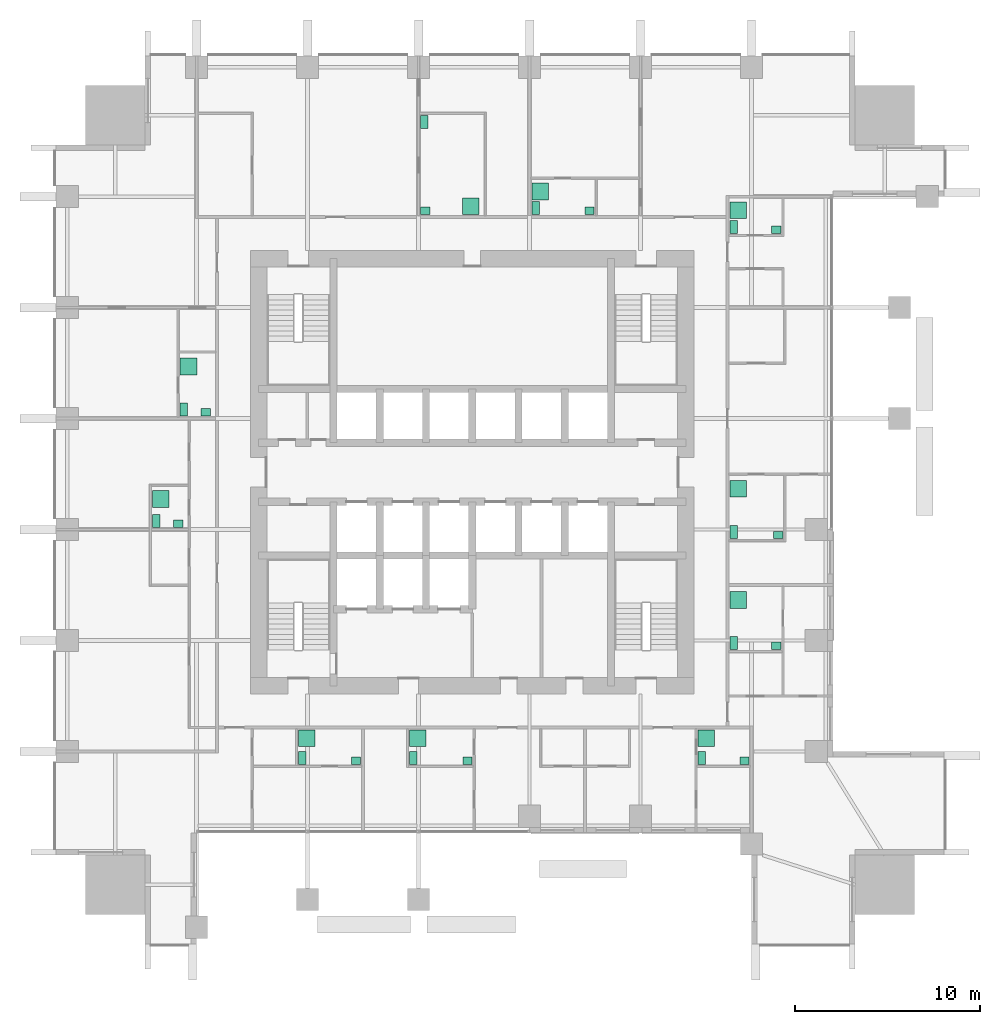
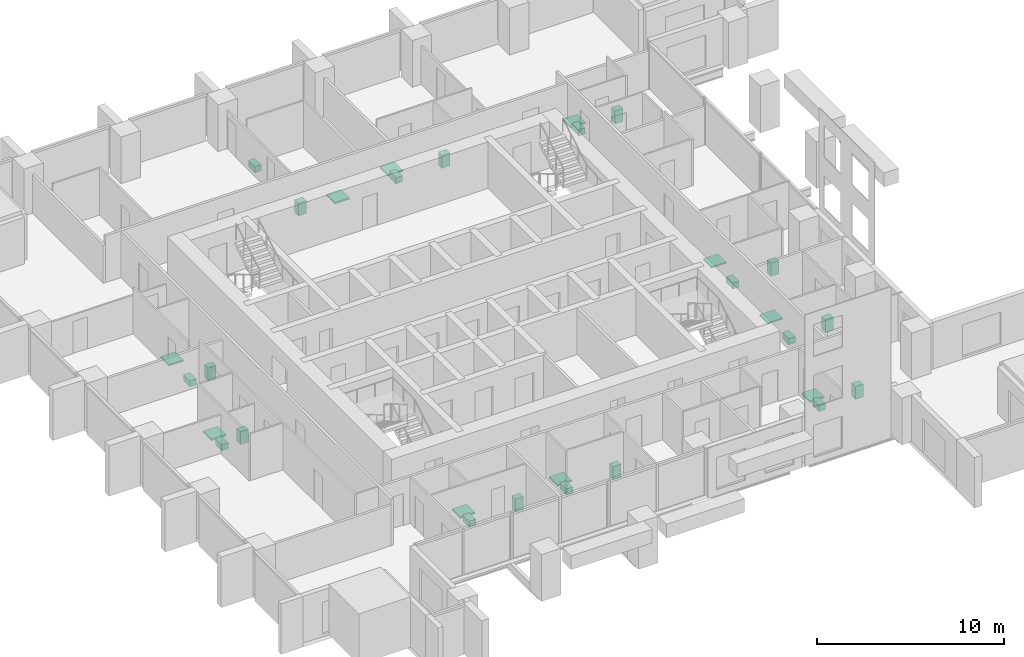
# One storey, part 13 of 13: 30 sanitary terminals.
"""IFC4 building model written with IfcOpenShell, lengths in metres."""

from ifc_helpers import new_model, si_unit, direction, frame, origin, origin_2d, place, context, subcontext, project, spatial, rectangle, extrude, element, save


model = new_model("IFC4")

# Units and contexts
model_context = context("Model", 3, precision=1e-05, world=origin(), true_north=direction((0.0, 1.0)))
body_context = subcontext(model_context, "Body", "Model", "MODEL_VIEW")
ifc_project = project(units=[si_unit("LENGTHUNIT", "METRE"), si_unit("AREAUNIT", "SQUARE_METRE"), si_unit("VOLUMEUNIT", "CUBIC_METRE"), si_unit("PLANEANGLEUNIT", "RADIAN"), si_unit("MASSUNIT", "GRAM", prefix="KILO")], contexts=[model_context])

# Site, building, storey
site_placement = place(None, origin())
site = spatial("IfcSite", under=ifc_project, at=site_placement, CompositionType="ELEMENT")
building_placement = place(site_placement, origin())
building = spatial("IfcBuilding", under=site, at=building_placement, Name="Amberfall Residences", CompositionType="ELEMENT")
storey_placement = place(building_placement, frame((0.0, 0.0, 56.5)))
storey = spatial("IfcBuildingStorey", under=building, at=storey_placement, Name="L15", CompositionType="ELEMENT", Elevation=56.5)

# Sanitary terminals
sanitary_terminal_1_placement = place(storey_placement, frame((65.31005859375, 30.06005859375, 0.0), z_axis=(0.0, 0.0, 1.0), x_axis=(1.0, 0.0, 0.0)))
element("IfcSanitaryTerminal", 1, at=sanitary_terminal_1_placement, inside=storey, Name="Water closet 1501", PredefinedType="TOILETPAN", context=body_context, shape_type="SweptSolid", body=[
    extrude(rectangle(XDim=0.39990234375, YDim=0.699951171875, at=origin_2d()), origin(), (0.0, 0.0, 1.0), 0.39990234375),
])
sanitary_terminal_2_placement = place(storey_placement, frame((68.215087890625, 29.909912109375, 0.0), z_axis=(0.0, 0.0, 1.0), x_axis=(1.0, 0.0, 0.0)))
element("IfcSanitaryTerminal", 2, at=sanitary_terminal_2_placement, inside=storey, Name="Basin 1501", PredefinedType="WASHHANDBASIN", context=body_context, shape_type="SweptSolid", body=[
    extrude(rectangle(XDim=0.5, YDim=0.39990234375, at=origin_2d()), origin(), (0.0, 0.0, 1.0), 0.85009765625),
])
sanitary_terminal_3_placement = place(storey_placement, frame((65.56005859375, 31.114990234375, 0.0), z_axis=(0.0, 0.0, 1.0), x_axis=(1.0, 0.0, 0.0)))
element("IfcSanitaryTerminal", 3, at=sanitary_terminal_3_placement, inside=storey, Name="Shower tray 1501", PredefinedType="SHOWER", context=body_context, shape_type="SweptSolid", body=[
    extrude(rectangle(XDim=0.89990234375, YDim=0.89990234375, at=origin_2d()), origin(), (0.0, 0.0, 1.0), 0.10009765625),
])
sanitary_terminal_4_placement = place(storey_placement, frame((71.31005859375, 30.06005859375, 0.0), z_axis=(0.0, 0.0, 1.0), x_axis=(1.0, 0.0, 0.0)))
element("IfcSanitaryTerminal", 4, at=sanitary_terminal_4_placement, inside=storey, Name="Water closet 1502", PredefinedType="TOILETPAN", context=body_context, shape_type="SweptSolid", body=[
    extrude(rectangle(XDim=0.39990234375, YDim=0.699951171875, at=origin_2d()), origin(), (0.0, 0.0, 1.0), 0.39990234375),
])
sanitary_terminal_5_placement = place(storey_placement, frame((74.239990234375, 29.909912109375, 0.0), z_axis=(0.0, 0.0, 1.0), x_axis=(1.0, 0.0, 0.0)))
element("IfcSanitaryTerminal", 5, at=sanitary_terminal_5_placement, inside=storey, Name="Basin 1502", PredefinedType="WASHHANDBASIN", context=body_context, shape_type="SweptSolid", body=[
    extrude(rectangle(XDim=0.5, YDim=0.39990234375, at=origin_2d()), origin(), (0.0, 0.0, 1.0), 0.85009765625),
])
sanitary_terminal_6_placement = place(storey_placement, frame((71.56005859375, 31.114990234375, 0.0), z_axis=(0.0, 0.0, 1.0), x_axis=(1.0, 0.0, 0.0)))
element("IfcSanitaryTerminal", 6, at=sanitary_terminal_6_placement, inside=storey, Name="Shower tray 1502", PredefinedType="SHOWER", context=body_context, shape_type="SweptSolid", body=[
    extrude(rectangle(XDim=0.89990234375, YDim=0.89990234375, at=origin_2d()), origin(), (0.0, 0.0, 1.0), 0.10009765625),
])
sanitary_terminal_7_placement = place(storey_placement, frame((86.909912109375, 30.06005859375, 0.0), z_axis=(0.0, 0.0, 1.0), x_axis=(1.0, 0.0, 0.0)))
element("IfcSanitaryTerminal", 7, at=sanitary_terminal_7_placement, inside=storey, Name="Water closet 1503", PredefinedType="TOILETPAN", context=body_context, shape_type="SweptSolid", body=[
    extrude(rectangle(XDim=0.39990234375, YDim=0.699951171875, at=origin_2d()), origin(), (0.0, 0.0, 1.0), 0.39990234375),
])
sanitary_terminal_8_placement = place(storey_placement, frame((89.215087890625, 29.909912109375, 0.0), z_axis=(0.0, 0.0, 1.0), x_axis=(1.0, 0.0, 0.0)))
element("IfcSanitaryTerminal", 8, at=sanitary_terminal_8_placement, inside=storey, Name="Basin 1503", PredefinedType="WASHHANDBASIN", context=body_context, shape_type="SweptSolid", body=[
    extrude(rectangle(XDim=0.5, YDim=0.39990234375, at=origin_2d()), origin(), (0.0, 0.0, 1.0), 0.85009765625),
])
sanitary_terminal_9_placement = place(storey_placement, frame((87.159912109375, 31.114990234375, 0.0), z_axis=(0.0, 0.0, 1.0), x_axis=(1.0, 0.0, 0.0)))
element("IfcSanitaryTerminal", 9, at=sanitary_terminal_9_placement, inside=storey, Name="Shower tray 1503", PredefinedType="SHOWER", context=body_context, shape_type="SweptSolid", body=[
    extrude(rectangle(XDim=0.89990234375, YDim=0.89990234375, at=origin_2d()), origin(), (0.0, 0.0, 1.0), 0.10009765625),
])
sanitary_terminal_10_placement = place(storey_placement, frame((88.635009765625, 36.260009765625, 0.0), z_axis=(0.0, 0.0, 1.0), x_axis=(1.0, 0.0, 0.0)))
element("IfcSanitaryTerminal", 10, at=sanitary_terminal_10_placement, inside=storey, Name="Water closet 1504", PredefinedType="TOILETPAN", context=body_context, shape_type="SweptSolid", body=[
    extrude(rectangle(XDim=0.39990234375, YDim=0.699951171875, at=origin_2d()), origin(), (0.0, 0.0, 1.0), 0.39990234375),
])
sanitary_terminal_11_placement = place(storey_placement, frame((90.93994140625, 36.110107421875, 0.0), z_axis=(0.0, 0.0, 1.0), x_axis=(1.0, 0.0, 0.0)))
element("IfcSanitaryTerminal", 11, at=sanitary_terminal_11_placement, inside=storey, Name="Basin 1504", PredefinedType="WASHHANDBASIN", context=body_context, shape_type="SweptSolid", body=[
    extrude(rectangle(XDim=0.5, YDim=0.39990234375, at=origin_2d()), origin(), (0.0, 0.0, 1.0), 0.85009765625),
])
sanitary_terminal_12_placement = place(storey_placement, frame((88.885009765625, 38.591796875, 0.0), z_axis=(0.0, 0.0, 1.0), x_axis=(1.0, 0.0, 0.0)))
element("IfcSanitaryTerminal", 12, at=sanitary_terminal_12_placement, inside=storey, Name="Shower tray 1504", PredefinedType="SHOWER", context=body_context, shape_type="SweptSolid", body=[
    extrude(rectangle(XDim=0.89990234375, YDim=0.89990234375, at=origin_2d()), origin(), (0.0, 0.0, 1.0), 0.10009765625),
])
sanitary_terminal_13_placement = place(storey_placement, frame((88.635009765625, 42.260009765625, 0.0), z_axis=(0.0, 0.0, 1.0), x_axis=(1.0, 0.0, 0.0)))
element("IfcSanitaryTerminal", 13, at=sanitary_terminal_13_placement, inside=storey, Name="Water closet 1505", PredefinedType="TOILETPAN", context=body_context, shape_type="SweptSolid", body=[
    extrude(rectangle(XDim=0.39990234375, YDim=0.699951171875, at=origin_2d()), origin(), (0.0, 0.0, 1.0), 0.39990234375),
])
sanitary_terminal_14_placement = place(storey_placement, frame((91.0400390625, 42.110107421875, 0.0), z_axis=(0.0, 0.0, 1.0), x_axis=(1.0, 0.0, 0.0)))
element("IfcSanitaryTerminal", 14, at=sanitary_terminal_14_placement, inside=storey, Name="Basin 1505", PredefinedType="WASHHANDBASIN", context=body_context, shape_type="SweptSolid", body=[
    extrude(rectangle(XDim=0.5, YDim=0.39990234375, at=origin_2d()), origin(), (0.0, 0.0, 1.0), 0.85009765625),
])
sanitary_terminal_15_placement = place(storey_placement, frame((88.885009765625, 44.614501953125, 0.0), z_axis=(0.0, 0.0, 1.0), x_axis=(1.0, 0.0, 0.0)))
element("IfcSanitaryTerminal", 15, at=sanitary_terminal_15_placement, inside=storey, Name="Shower tray 1505", PredefinedType="SHOWER", context=body_context, shape_type="SweptSolid", body=[
    extrude(rectangle(XDim=0.89990234375, YDim=0.89990234375, at=origin_2d()), origin(), (0.0, 0.0, 1.0), 0.10009765625),
])
sanitary_terminal_16_placement = place(storey_placement, frame((88.635009765625, 58.760009765625, 0.0), z_axis=(0.0, 0.0, 1.0), x_axis=(1.0, 0.0, 0.0)))
element("IfcSanitaryTerminal", 16, at=sanitary_terminal_16_placement, inside=storey, Name="Water closet 1506", PredefinedType="TOILETPAN", context=body_context, shape_type="SweptSolid", body=[
    extrude(rectangle(XDim=0.39990234375, YDim=0.699951171875, at=origin_2d()), origin(), (0.0, 0.0, 1.0), 0.39990234375),
])
sanitary_terminal_17_placement = place(storey_placement, frame((90.93994140625, 58.610107421875, 0.0), z_axis=(0.0, 0.0, 1.0), x_axis=(1.0, 0.0, 0.0)))
element("IfcSanitaryTerminal", 17, at=sanitary_terminal_17_placement, inside=storey, Name="Basin 1506", PredefinedType="WASHHANDBASIN", context=body_context, shape_type="SweptSolid", body=[
    extrude(rectangle(XDim=0.5, YDim=0.39990234375, at=origin_2d()), origin(), (0.0, 0.0, 1.0), 0.85009765625),
])
sanitary_terminal_18_placement = place(storey_placement, frame((88.885009765625, 59.65576171875, 0.0), z_axis=(0.0, 0.0, 1.0), x_axis=(1.0, 0.0, 0.0)))
element("IfcSanitaryTerminal", 18, at=sanitary_terminal_18_placement, inside=storey, Name="Shower tray 1506", PredefinedType="SHOWER", context=body_context, shape_type="SweptSolid", body=[
    extrude(rectangle(XDim=0.89990234375, YDim=0.89990234375, at=origin_2d()), origin(), (0.0, 0.0, 1.0), 0.10009765625),
])
sanitary_terminal_19_placement = place(storey_placement, frame((71.909912109375, 64.43994140625, 0.0), z_axis=(0.0, 0.0, 1.0), x_axis=(1.0, 0.0, 0.0)))
element("IfcSanitaryTerminal", 19, at=sanitary_terminal_19_placement, inside=storey, Name="Water closet 1507", PredefinedType="TOILETPAN", context=body_context, shape_type="SweptSolid", body=[
    extrude(rectangle(XDim=0.39990234375, YDim=0.699951171875, at=origin_2d()), origin(), (0.0, 0.0, 1.0), 0.39990234375),
])
sanitary_terminal_20_placement = place(storey_placement, frame((71.9599609375, 59.635009765625, 0.0), z_axis=(0.0, 0.0, 1.0), x_axis=(1.0, 0.0, 0.0)))
element("IfcSanitaryTerminal", 20, at=sanitary_terminal_20_placement, inside=storey, Name="Basin 1507", PredefinedType="WASHHANDBASIN", context=body_context, shape_type="SweptSolid", body=[
    extrude(rectangle(XDim=0.5, YDim=0.39990234375, at=origin_2d()), origin(), (0.0, 0.0, 1.0), 0.85009765625),
])
sanitary_terminal_21_placement = place(storey_placement, frame((74.41455078125, 59.885009765625, 0.0), z_axis=(0.0, 0.0, 1.0), x_axis=(1.0, 0.0, 0.0)))
element("IfcSanitaryTerminal", 21, at=sanitary_terminal_21_placement, inside=storey, Name="Shower tray 1507", PredefinedType="SHOWER", context=body_context, shape_type="SweptSolid", body=[
    extrude(rectangle(XDim=0.89990234375, YDim=0.89990234375, at=origin_2d()), origin(), (0.0, 0.0, 1.0), 0.10009765625),
])
sanitary_terminal_22_placement = place(storey_placement, frame((77.93505859375, 59.784912109375, 0.0), z_axis=(0.0, 0.0, 1.0), x_axis=(1.0, 0.0, 0.0)))
element("IfcSanitaryTerminal", 22, at=sanitary_terminal_22_placement, inside=storey, Name="Water closet 1508", PredefinedType="TOILETPAN", context=body_context, shape_type="SweptSolid", body=[
    extrude(rectangle(XDim=0.39990234375, YDim=0.699951171875, at=origin_2d()), origin(), (0.0, 0.0, 1.0), 0.39990234375),
])
sanitary_terminal_23_placement = place(storey_placement, frame((80.840087890625, 59.635009765625, 0.0), z_axis=(0.0, 0.0, 1.0), x_axis=(1.0, 0.0, 0.0)))
element("IfcSanitaryTerminal", 23, at=sanitary_terminal_23_placement, inside=storey, Name="Basin 1508", PredefinedType="WASHHANDBASIN", context=body_context, shape_type="SweptSolid", body=[
    extrude(rectangle(XDim=0.5, YDim=0.39990234375, at=origin_2d()), origin(), (0.0, 0.0, 1.0), 0.85009765625),
])
sanitary_terminal_24_placement = place(storey_placement, frame((78.18505859375, 60.680908203125, 0.0), z_axis=(0.0, 0.0, 1.0), x_axis=(1.0, 0.0, 0.0)))
element("IfcSanitaryTerminal", 24, at=sanitary_terminal_24_placement, inside=storey, Name="Shower tray 1508", PredefinedType="SHOWER", context=body_context, shape_type="SweptSolid", body=[
    extrude(rectangle(XDim=0.89990234375, YDim=0.89990234375, at=origin_2d()), origin(), (0.0, 0.0, 1.0), 0.10009765625),
])
sanitary_terminal_25_placement = place(storey_placement, frame((57.409912109375, 42.860107421875, 0.0), z_axis=(0.0, 0.0, 1.0), x_axis=(1.0, 0.0, 0.0)))
element("IfcSanitaryTerminal", 25, at=sanitary_terminal_25_placement, inside=storey, Name="Water closet 1509", PredefinedType="TOILETPAN", context=body_context, shape_type="SweptSolid", body=[
    extrude(rectangle(XDim=0.39990234375, YDim=0.699951171875, at=origin_2d()), origin(), (0.0, 0.0, 1.0), 0.39990234375),
])
sanitary_terminal_26_placement = place(storey_placement, frame((58.610107421875, 42.7099609375, 0.0), z_axis=(0.0, 0.0, 1.0), x_axis=(1.0, 0.0, 0.0)))
element("IfcSanitaryTerminal", 26, at=sanitary_terminal_26_placement, inside=storey, Name="Basin 1509", PredefinedType="WASHHANDBASIN", context=body_context, shape_type="SweptSolid", body=[
    extrude(rectangle(XDim=0.5, YDim=0.39990234375, at=origin_2d()), origin(), (0.0, 0.0, 1.0), 0.85009765625),
])
sanitary_terminal_27_placement = place(storey_placement, frame((57.659912109375, 44.05712890625, 0.0), z_axis=(0.0, 0.0, 1.0), x_axis=(1.0, 0.0, 0.0)))
element("IfcSanitaryTerminal", 27, at=sanitary_terminal_27_placement, inside=storey, Name="Shower tray 1509", PredefinedType="SHOWER", context=body_context, shape_type="SweptSolid", body=[
    extrude(rectangle(XDim=0.89990234375, YDim=0.89990234375, at=origin_2d()), origin(), (0.0, 0.0, 1.0), 0.10009765625),
])
sanitary_terminal_28_placement = place(storey_placement, frame((58.909912109375, 48.885009765625, 0.0), z_axis=(0.0, 0.0, 1.0), x_axis=(1.0, 0.0, 0.0)))
element("IfcSanitaryTerminal", 28, at=sanitary_terminal_28_placement, inside=storey, Name="Water closet 1510", PredefinedType="TOILETPAN", context=body_context, shape_type="SweptSolid", body=[
    extrude(rectangle(XDim=0.39990234375, YDim=0.699951171875, at=origin_2d()), origin(), (0.0, 0.0, 1.0), 0.39990234375),
])
sanitary_terminal_29_placement = place(storey_placement, frame((60.089111328125, 48.735107421875, 0.0), z_axis=(0.0, 0.0, 1.0), x_axis=(1.0, 0.0, 0.0)))
element("IfcSanitaryTerminal", 29, at=sanitary_terminal_29_placement, inside=storey, Name="Basin 1510", PredefinedType="WASHHANDBASIN", context=body_context, shape_type="SweptSolid", body=[
    extrude(rectangle(XDim=0.5, YDim=0.39990234375, at=origin_2d()), origin(), (0.0, 0.0, 1.0), 0.85009765625),
])
sanitary_terminal_30_placement = place(storey_placement, frame((59.159912109375, 51.216796875, 0.0), z_axis=(0.0, 0.0, 1.0), x_axis=(1.0, 0.0, 0.0)))
element("IfcSanitaryTerminal", 30, at=sanitary_terminal_30_placement, inside=storey, Name="Shower tray 1510", PredefinedType="SHOWER", context=body_context, shape_type="SweptSolid", body=[
    extrude(rectangle(XDim=0.89990234375, YDim=0.89990234375, at=origin_2d()), origin(), (0.0, 0.0, 1.0), 0.10009765625),
])

save(model, "model.ifc")
